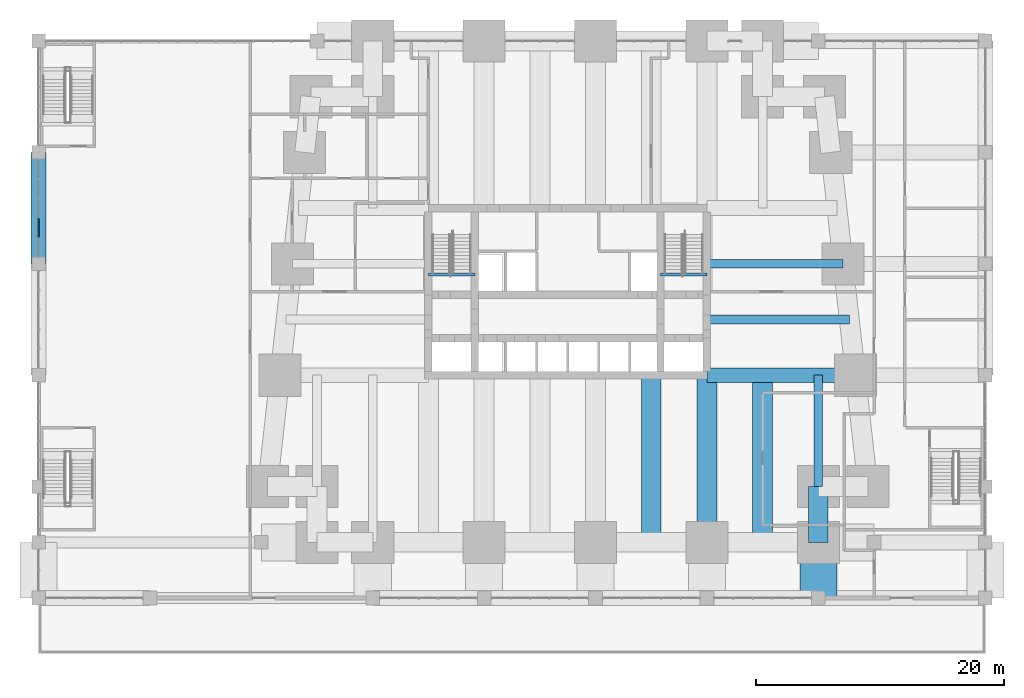
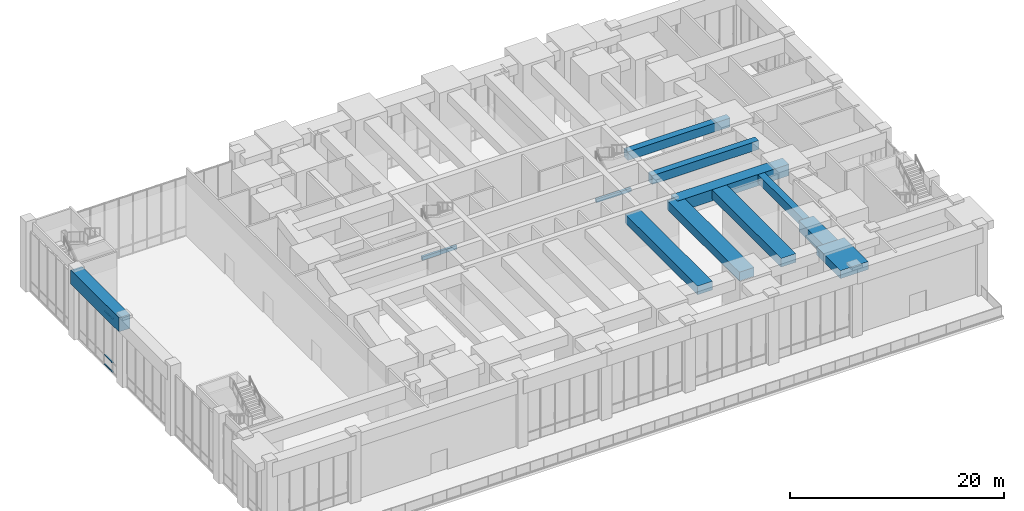
# One storey, part 7 of 26: 12 beams, 3 members, 1 element without a shape of its own.
"""IFC4 building model written with IfcOpenShell, lengths in metres."""

import ifcopenshell
import ifcopenshell.guid

model = None  # the IFC model being written
_history = None  # IfcOwnerHistory: only IFC2X3 demands one
_inside = {}  # id of a spatial element -> (the spatial element, [elements in it])
_under = {}  # id of a project, library or spatial element -> (it, [spatial elements below it])
_declared = {}  # id of a project -> (the project, [libraries it declares])
_typed = {}  # id of a type object -> (the type object, [elements of that type])
_made_of = {}  # id of a material, layer set ... -> (it, [elements and type objects made of it])


def new_model(schema):
    """Start an empty IFC model of exactly this schema.

    Asked for "IFC4X3", IfcOpenShell would pick the latest addendum, in which some entities
    have other attributes; the version numbers below select the first issue.
    IFC2X3 requires an IfcOwnerHistory on every rooted entity: one is made here for all.
    """
    global model, _history
    if schema == "IFC4X3":
        model = ifcopenshell.file(schema_version=(4, 3, 0, 0))
    else:
        model = ifcopenshell.file(schema=schema)
    _inside.clear()
    _under.clear()
    _declared.clear()
    _typed.clear()
    _made_of.clear()
    _history = None
    if model.schema == "IFC2X3":
        org = make("IfcOrganization", Name="unknown")
        user = make(
            "IfcPersonAndOrganization",
            ThePerson=make("IfcPerson", FamilyName="unknown"),
            TheOrganization=org,
        )
        app = make(
            "IfcApplication",
            ApplicationDeveloper=org,
            Version="unknown",
            ApplicationFullName="unknown",
            ApplicationIdentifier="unknown",
        )
        _history = make(
            "IfcOwnerHistory",
            OwningUser=user,
            OwningApplication=app,
            ChangeAction="ADDED",
            CreationDate=0,
        )
    return model


def make(cls, **values):
    """One entity of the class cls with the attributes given. An attribute that is None is left unset."""
    return model.create_entity(
        cls, **{name: value for name, value in values.items() if value is not None}
    )


def rooted(cls, **values):
    """An entity with a GlobalId (a new one), such as an element, a storey or a relation."""
    return make(cls, GlobalId=ifcopenshell.guid.new(), OwnerHistory=_history, **values)


def si_unit(unit_type, name, prefix=None):
    """IfcSIUnit, for example si_unit("LENGTHUNIT", "METRE", prefix="MILLI")."""
    return make("IfcSIUnit", UnitType=unit_type, Prefix=prefix, Name=name)


def assignment(units):
    """IfcUnitAssignment: the units of a project."""
    return None if units is None else make("IfcUnitAssignment", Units=units)


def point(xyz):
    """IfcCartesianPoint."""
    return None if xyz is None else make("IfcCartesianPoint", Coordinates=xyz)


def direction(xyz):
    """IfcDirection."""
    return None if xyz is None else make("IfcDirection", DirectionRatios=xyz)


def frame(location, z_axis=None, x_axis=None):
    """IfcAxis2Placement3D, a coordinate frame: its origin and axes. An axis left out is left unset."""
    return make(
        "IfcAxis2Placement3D",
        Location=point(location),
        Axis=direction(z_axis),
        RefDirection=direction(x_axis),
    )


def frame_2d(location, x_axis=None):
    """IfcAxis2Placement2D, a coordinate frame in the plane: its origin and x axis."""
    return make(
        "IfcAxis2Placement2D", Location=point(location), RefDirection=direction(x_axis)
    )


def origin():
    """The frame at (0, 0, 0) with its axes left unset."""
    return frame((0.0, 0.0, 0.0))


def origin_2d():
    """The frame at (0, 0) in the plane with its x axis left unset."""
    return frame_2d((0.0, 0.0))


def place(relative_to, where):
    """IfcLocalPlacement: puts the frame where relative to a parent placement (None: the world)."""
    return make(
        "IfcLocalPlacement", PlacementRelTo=relative_to, RelativePlacement=where
    )


def context(
    kind, dimensions, precision=None, world=None, true_north=None, identifier=None
):
    """IfcGeometricRepresentationContext, for example the 3D "Model" context."""
    return make(
        "IfcGeometricRepresentationContext",
        ContextIdentifier=identifier,
        ContextType=kind,
        CoordinateSpaceDimension=dimensions,
        Precision=precision,
        WorldCoordinateSystem=world,
        TrueNorth=true_north,
    )


def subcontext(parent, identifier, kind, view, scale=None):
    """IfcGeometricRepresentationSubContext, for example "Body" below "Model"."""
    return make(
        "IfcGeometricRepresentationSubContext",
        ContextIdentifier=identifier,
        ContextType=kind,
        ParentContext=parent,
        TargetScale=scale,
        TargetView=view,
    )


def project(units=None, contexts=None):
    """IfcProject with its units and contexts."""
    return rooted(
        "IfcProject",
        Name="project",
        RepresentationContexts=contexts,
        UnitsInContext=assignment(units),
    )


def spatial(cls, under=None, at=None, **own):
    """A site, building, storey or space (cls), placed at a placement, below another one or the project."""
    s = rooted(cls, ObjectPlacement=at, **own)
    if under is not None:
        _under.setdefault(under.id(), (under, []))[1].append(s)
    return s


def profile(cls, at=None, kind="AREA", **sizes):
    """A parametric profile (cls). Its sizes go by their IFC names, for example OverallWidth=200.0."""
    return make(cls, ProfileType=kind, Position=at, **sizes)


def rectangle(**sizes):
    """IfcRectangleProfileDef."""
    return profile("IfcRectangleProfileDef", **sizes)


def extrude(swept, where, along, depth):
    """IfcExtrudedAreaSolid: the profile swept, set in the frame where, extruded along a direction by depth."""
    return make(
        "IfcExtrudedAreaSolid",
        SweptArea=swept,
        Position=where,
        ExtrudedDirection=direction(along),
        Depth=depth,
    )


def shape(context_of_items, identifier, shape_type, items):
    """IfcShapeRepresentation: the items that make up one representation, for example the "Body"."""
    return make(
        "IfcShapeRepresentation",
        ContextOfItems=context_of_items,
        RepresentationIdentifier=identifier,
        RepresentationType=shape_type,
        Items=items,
    )


def material(Name=None, Category=None):
    """IfcMaterial."""
    return make("IfcMaterial", Name=Name, Category=Category)


def material_profile(
    of_material, cross_section, Name=None, Category=None, Priority=None
):
    """IfcMaterialProfile: a cross section and its material."""
    return make(
        "IfcMaterialProfile",
        Name=Name,
        Material=of_material,
        Profile=cross_section,
        Priority=Priority,
        Category=Category,
    )


def profile_set(profiles, Name=None, composite=None):
    """IfcMaterialProfileSet."""
    return make(
        "IfcMaterialProfileSet",
        Name=Name,
        MaterialProfiles=profiles,
        CompositeProfile=composite,
    )


def made_of(thing, what):
    """Note that an element or type object is made of a material, layer set ...; save() writes the relation."""
    if what is not None:
        _made_of.setdefault(what.id(), (what, []))[1].append(thing)
    return thing


def type_object(cls, material=None, **own):
    """A type object (cls), such as IfcWallType, which elements share."""
    return made_of(rooted(cls, **own), material)


def element(
    cls,
    number,
    at=None,
    inside=None,
    cuts=None,
    type_object=None,
    material=None,
    context=None,
    identifier="Body",
    shape_type=None,
    held_by="IfcProductDefinitionShape",
    body=None,
    shapes=None,
    **own,
):
    """One element of the class cls, such as IfcWall. Its Tag is "e" and its number.

    at: its placement. inside: the storey or other place that contains it. cuts: it is an
    opening in that element (IfcRelVoidsElement). A single representation is given by context,
    identifier, shape_type and body (its items); several are given by shapes. held_by: the class
    of the entity that holds the representations. save() writes the other relations.
    """
    e = rooted(cls, Tag="e%d" % number, ObjectPlacement=at, **own)
    if body is not None:
        shapes = [shape(context, identifier, shape_type, body)]
    if shapes is not None:
        e.Representation = make(held_by, Representations=shapes)
    if inside is not None:
        _inside.setdefault(inside.id(), (inside, []))[1].append(e)
    if cuts is not None:
        rooted(
            "IfcRelVoidsElement", RelatingBuildingElement=cuts, RelatedOpeningElement=e
        )
    if type_object is not None:
        _typed.setdefault(type_object.id(), (type_object, []))[1].append(e)
    return made_of(e, material)


def aggregate(whole, parts):
    """IfcRelAggregates: a whole, such as a stair, and the parts it consists of."""
    return rooted("IfcRelAggregates", RelatingObject=whole, RelatedObjects=parts)


def save(model, path):
    """Write the relations noted so far, then the file.

    IfcRelAggregates (storeys below a building ...), IfcRelContainedInSpatialStructure (elements
    in a storey), IfcRelDefinesByType, IfcRelAssociatesMaterial and IfcRelDeclares: one each for
    every whole, place, type object, material and project.
    """
    for whole, parts in _under.values():
        aggregate(whole, parts)
    for where, things in _inside.values():
        rooted(
            "IfcRelContainedInSpatialStructure",
            RelatedElements=things,
            RelatingStructure=where,
        )
    for kind, things in _typed.values():
        rooted("IfcRelDefinesByType", RelatedObjects=things, RelatingType=kind)
    for what, things in _made_of.values():
        rooted("IfcRelAssociatesMaterial", RelatedObjects=things, RelatingMaterial=what)
    for by, libraries in _declared.values():
        rooted("IfcRelDeclares", RelatingContext=by, RelatedDefinitions=libraries)
    model.write(path)


model = new_model("IFC4")

# Units and contexts
model_context = context("Model", 3, precision=1e-05, world=origin(), true_north=direction((0.0, 1.0)))
body_context = subcontext(model_context, "Body", "Model", "MODEL_VIEW")
ifc_project = project(units=[si_unit("LENGTHUNIT", "METRE"), si_unit("AREAUNIT", "SQUARE_METRE"), si_unit("VOLUMEUNIT", "CUBIC_METRE"), si_unit("PLANEANGLEUNIT", "RADIAN"), si_unit("MASSUNIT", "GRAM", prefix="KILO")], contexts=[model_context])

# Site, building, storey
site_placement = place(None, origin())
site = spatial("IfcSite", under=ifc_project, at=site_placement, CompositionType="ELEMENT")
building_placement = place(site_placement, origin())
building = spatial("IfcBuilding", under=site, at=building_placement, Name="Kilele Tower Hotel", CompositionType="ELEMENT")
storey_placement = place(building_placement, frame((0.0, 0.0, 11.0)))
storey = spatial("IfcBuildingStorey", under=building, at=storey_placement, Name="L02", CompositionType="ELEMENT", Elevation=11.0)

# Beams
ifc_material_1 = material(Name="Concrete C60/75", Category="concrete")
ifc_material_profile_1 = material_profile(ifc_material_1, rectangle(XDim=1.199951171875, YDim=1.60009765625, at=origin_2d()))
ifc_profile_set_1 = profile_set([ifc_material_profile_1], Name="Concrete C60/75")
beam_type_1 = type_object("IfcBeamType", Name="Beam RC 1200x1600 C60/75", PredefinedType="BEAM", material=ifc_profile_set_1)
beam_1_placement = place(storey_placement, frame((-18.0, 22.5, 6.89990234375), z_axis=(0.0, 1.0, 0.0), x_axis=(-1.0, 0.0, 0.0)))
element("IfcBeam", 1, at=beam_1_placement, inside=storey, type_object=beam_type_1, Name="Beam PB2 level L03", PredefinedType="BEAM", context=body_context, shape_type="SweptSolid", body=[
    extrude(rectangle(XDim=1.199951171875, YDim=1.60009765625, at=origin_2d()), origin(), (0.0, 0.0, 1.0), 9.0),
])
ifc_material_2 = material(Name="Concrete C60/75", Category="concrete")
ifc_material_profile_2 = material_profile(ifc_material_2, rectangle(XDim=1.60009765625, YDim=1.0, at=origin_2d()))
ifc_profile_set_2 = profile_set([ifc_material_profile_2], Name="Concrete C60/75")
beam_type_2 = type_object("IfcBeamType", Name="Beam RC 1600x1000 C60/75", PredefinedType="BEAM", material=ifc_profile_set_2)
for number, where, z_axis, x_axis, name in (
    (2, (31.5, 0.0, 7.199951171875), (0.0, 1.0, 0.0), (-1.0, 0.0, 0.0), "Beam BC1 level L03"),
    (3, (36.0, 0.0, 7.199951171875), (0.0, 1.0, 0.0), (-1.0, 0.0, 0.0), "Beam BC1 level L03"),
    (4, (40.5, 0.0, 7.199951171875), (0.0, 1.0, 0.0), (-1.0, 0.0, 0.0), "Beam BC1 level L03"),
):
    element("IfcBeam", number, at=place(storey_placement, frame(where, z_axis=z_axis, x_axis=x_axis)), inside=storey, type_object=beam_type_2, Name=name, PredefinedType="BEAM", context=body_context, shape_type="SweptSolid", body=[
        extrude(rectangle(XDim=1.60009765625, YDim=1.0, at=origin_2d()), origin(), (0.0, 0.0, 1.0), 13.5),
    ])
ifc_material_3 = material(Name="Concrete C60/75", Category="concrete")
ifc_material_profile_3 = material_profile(ifc_material_3, rectangle(XDim=3.0, YDim=0.89990234375, at=origin_2d()))
ifc_profile_set_3 = profile_set([ifc_material_profile_3], Name="Concrete C60/75")
beam_type_3 = type_object("IfcBeamType", Name="Beam RC 3000x900 C60/75", PredefinedType="BEAM", material=ifc_profile_set_3)
beam_2_placement = place(storey_placement, frame((45.0, -4.5, 7.25), z_axis=(0.0, 1.0, 0.0), x_axis=(-1.0, 0.0, 0.0)))
element("IfcBeam", 5, at=beam_2_placement, inside=storey, type_object=beam_type_3, Name="Beam PB1 level L03", PredefinedType="BEAM", context=body_context, shape_type="SweptSolid", body=[
    extrude(rectangle(XDim=3.0, YDim=0.89990234375, at=origin_2d()), origin(), (0.0, 0.0, 1.0), 4.5),
])
ifc_material_4 = material(Name="Concrete C60/75", Category="concrete")
ifc_material_profile_4 = material_profile(ifc_material_4, rectangle(XDim=0.699951171875, YDim=1.0, at=origin_2d()))
ifc_profile_set_4 = profile_set([ifc_material_profile_4], Name="Concrete C60/75")
beam_type_4 = type_object("IfcBeamType", Name="Beam RC 700x1000 C60/75 mid span", PredefinedType="BEAM", material=ifc_profile_set_4)
beam_3_placement = place(storey_placement, frame((45.0, 4.5, 7.199951171875), z_axis=(0.0, 1.0, 0.0), x_axis=(-1.0, 0.0, 0.0)))
element("IfcBeam", 6, at=beam_3_placement, inside=storey, type_object=beam_type_4, Name="Beam B5 level L03", PredefinedType="BEAM", context=body_context, shape_type="SweptSolid", body=[
    extrude(rectangle(XDim=0.699951171875, YDim=1.0, at=origin_2d()), origin(), (0.0, 0.0, 1.0), 9.0),
])
beam_4_placement = place(storey_placement, frame((47.5, 18.0, 7.199951171875), z_axis=(-1.0, 0.0, 0.0), x_axis=(0.0, -1.0, 0.0)))
element("IfcBeam", 7, at=beam_4_placement, inside=storey, type_object=beam_type_4, Name="Beam B5 level L03", PredefinedType="BEAM", context=body_context, shape_type="SweptSolid", body=[
    extrude(rectangle(XDim=0.699951171875, YDim=1.0, at=origin_2d()), origin(), (0.0, 0.0, 1.0), 11.5),
])
beam_5_placement = place(storey_placement, frame((47.0, 22.5, 7.199951171875), z_axis=(-1.0, 0.0, 0.0), x_axis=(0.0, -1.0, 0.0)))
element("IfcBeam", 8, at=beam_5_placement, inside=storey, type_object=beam_type_4, Name="Beam B5 level L03", PredefinedType="BEAM", context=body_context, shape_type="SweptSolid", body=[
    extrude(rectangle(XDim=0.699951171875, YDim=1.0, at=origin_2d()), origin(), (0.0, 0.0, 1.0), 11.0),
])
ifc_material_5 = material(Name="Concrete C60/75", Category="concrete")
ifc_material_profile_5 = material_profile(ifc_material_5, rectangle(XDim=1.199951171875, YDim=1.300048828125, at=origin_2d()))
ifc_profile_set_5 = profile_set([ifc_material_profile_5], Name="Concrete C60/75")
beam_type_5 = type_object("IfcBeamType", Name="Girder RC 1200x1300 C60/75", PredefinedType="BEAM", material=ifc_profile_set_5)
beam_6_placement = place(storey_placement, frame((48.0, 13.5, 7.050048828125), z_axis=(-1.0, 0.0, 0.0), x_axis=(0.0, -1.0, 0.0)))
element("IfcBeam", 9, at=beam_6_placement, inside=storey, type_object=beam_type_5, Name="Girder G1 level L03", PredefinedType="BEAM", context=body_context, shape_type="SweptSolid", body=[
    extrude(rectangle(XDim=1.199951171875, YDim=1.300048828125, at=origin_2d()), origin(), (0.0, 0.0, 1.0), 12.0),
])
ifc_material_6 = material(Name="Concrete C40/50", Category="concrete")
ifc_material_profile_6 = material_profile(ifc_material_6, rectangle(XDim=0.25, YDim=0.39990234375, at=origin_2d()))
ifc_profile_set_6 = profile_set([ifc_material_profile_6], Name="Concrete C40/50")
beam_type_6 = type_object("IfcBeamType", Name="Landing beam RC 250x400 C40/50", PredefinedType="BEAM", material=ifc_profile_set_6)
for number, where, z_axis, x_axis, name in (
    (10, (13.5, 21.64990234375, 3.77392578125), (1.0, 0.0, 0.0), (0.0, 1.0, 0.0), "Landing beam ST1 L02"),
    (11, (32.25, 21.64990234375, 3.77392578125), (1.0, 0.0, 0.0), (0.0, 1.0, 0.0), "Landing beam ST2 L02"),
):
    element("IfcBeam", number, at=place(storey_placement, frame(where, z_axis=z_axis, x_axis=x_axis)), inside=storey, type_object=beam_type_6, Name=name, PredefinedType="BEAM", context=body_context, shape_type="SweptSolid", body=[
        extrude(rectangle(XDim=0.25, YDim=0.39990234375, at=origin_2d()), origin(), (0.0, 0.0, 1.0), 3.75),
    ])
ifc_material_7 = material(Name="Concrete C60/75", Category="concrete")
ifc_material_profile_7 = material_profile(ifc_material_7, rectangle(XDim=1.60009765625, YDim=1.199951171875, at=origin_2d()))
ifc_profile_set_7 = profile_set([ifc_material_profile_7], Name="Concrete C60/75")
beam_type_7 = type_object("IfcBeamType", Name="Spandrel RC 1600x1200 C60/75", PredefinedType="SPANDREL", material=ifc_profile_set_7)
beam_7_placement = place(storey_placement, frame((45.0, 0.0, 7.10009765625), z_axis=(0.0, 1.0, 0.0), x_axis=(-1.0, 0.0, 0.0)))
element("IfcBeam", 12, at=beam_7_placement, inside=storey, type_object=beam_type_7, Name="Spandrel SP11 level L03", PredefinedType="SPANDREL", context=body_context, shape_type="SweptSolid", body=[
    extrude(rectangle(XDim=1.60009765625, YDim=1.199951171875, at=origin_2d()), origin(), (0.0, 0.0, 1.0), 4.5),
])

# Curtain wall, members
ifc_material_8 = material(Name="Aluminium curtain wall, clear double glazing", Category="aluminium")
curtain_wall_type = type_object("IfcCurtainWallType", Name="Podium side curtain wall CW-2", PredefinedType="NOTDEFINED", material=ifc_material_8)
curtain_wall_placement = place(storey_placement, origin())
curtain_wall = element("IfcCurtainWall", 13, at=curtain_wall_placement, inside=storey, type_object=curtain_wall_type, Name="Podium side curtain wall CW-2 L02", PredefinedType="NOTDEFINED")
ifc_material_9 = material(Name="Aluminium EN AW-6063 T6", Category="aluminium")
ifc_material_profile_8 = material_profile(ifc_material_9, rectangle(XDim=0.1201171875, YDim=0.06005859375, at=origin_2d()))
ifc_profile_set_8 = profile_set([ifc_material_profile_8], Name="Aluminium EN AW-6063 T6")
member_type = type_object("IfcMemberType", Name="Transom 60x120 CW-2", PredefinedType="USERDEFINED", material=ifc_profile_set_8)
member_1_placement = place(storey_placement, frame((-18.0, 26.179931640625, 0.030029296875), z_axis=(0.0, -1.0, 0.0), x_axis=(1.0, 0.0, 0.0)))
member_1 = element("IfcMember", 14, at=member_1_placement, type_object=member_type, Name="CW-2 transom 4.1", ObjectType="TRANSOM", PredefinedType="USERDEFINED", context=body_context, shape_type="SweptSolid", body=[
    extrude(rectangle(XDim=0.1201171875, YDim=0.06005859375, at=origin_2d()), origin(), (0.0, 0.0, 1.0), 1.52001953125),
])
member_2_placement = place(storey_placement, frame((-18.0, 26.179931640625, 1.10009765625), z_axis=(0.0, -1.0, 0.0), x_axis=(1.0, 0.0, 0.0)))
member_2 = element("IfcMember", 15, at=member_2_placement, type_object=member_type, Name="CW-2 transom 4.2", ObjectType="TRANSOM", PredefinedType="USERDEFINED", context=body_context, shape_type="SweptSolid", body=[
    extrude(rectangle(XDim=0.1201171875, YDim=0.06005859375, at=origin_2d()), origin(), (0.0, 0.0, 1.0), 1.52001953125),
])
member_3_placement = place(storey_placement, frame((-18.0, 26.179931640625, 6.070068359375), z_axis=(0.0, -1.0, 0.0), x_axis=(1.0, 0.0, 0.0)))
member_3 = element("IfcMember", 16, at=member_3_placement, type_object=member_type, Name="CW-2 transom 4.3", ObjectType="TRANSOM", PredefinedType="USERDEFINED", context=body_context, shape_type="SweptSolid", body=[
    extrude(rectangle(XDim=0.1201171875, YDim=0.06005859375, at=origin_2d()), origin(), (0.0, 0.0, 1.0), 1.52001953125),
])
aggregate(curtain_wall, [member_1, member_2, member_3])

save(model, "model.ifc")
